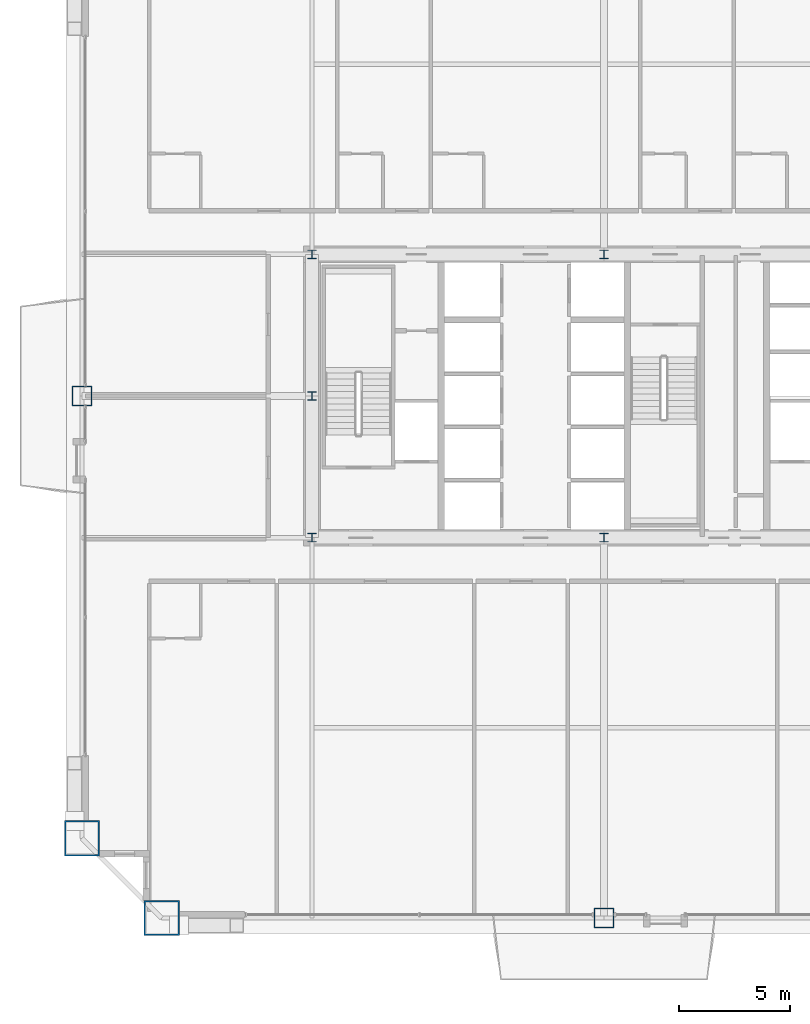
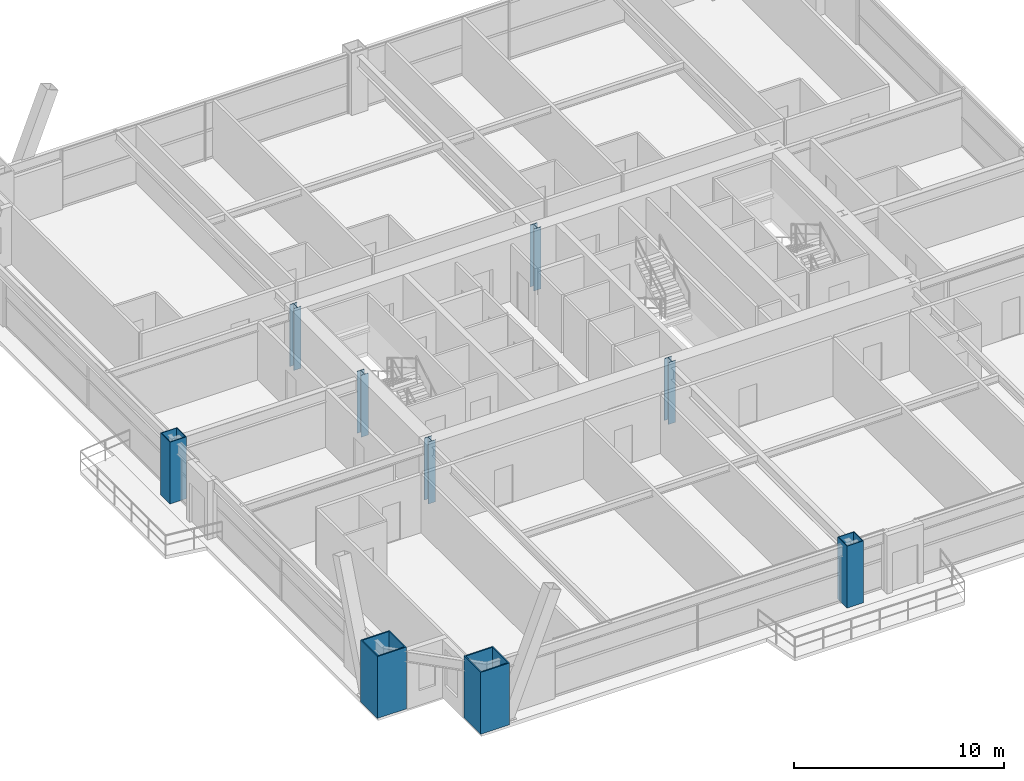
# One storey, part 1 of 42: 9 columns.
"""IFC4 building model written with IfcOpenShell, lengths in metres."""

from ifc_helpers import new_model, si_unit, direction, frame, origin, origin_2d, place, context, subcontext, project, spatial, hollow_rectangle, i_section, extrude, source, transform, mapped, material, material_profile, profile_set, type_object, element, save


model = new_model("IFC4")

# Units and contexts
model_context = context("Model", 3, precision=1e-05, world=origin(), true_north=direction((0.0, 1.0)))
body_context = subcontext(model_context, "Body", "Model", "MODEL_VIEW")
ifc_project = project(units=[si_unit("LENGTHUNIT", "METRE"), si_unit("AREAUNIT", "SQUARE_METRE"), si_unit("VOLUMEUNIT", "CUBIC_METRE"), si_unit("PLANEANGLEUNIT", "RADIAN"), si_unit("MASSUNIT", "GRAM", prefix="KILO"), si_unit("THERMODYNAMICTEMPERATUREUNIT", "KELVIN"), si_unit("POWERUNIT", "WATT")], contexts=[model_context])

# Site, building, storey
site_placement = place(None, origin())
site = spatial("IfcSite", under=ifc_project, at=site_placement, CompositionType="ELEMENT")
building_placement = place(site_placement, origin())
building = spatial("IfcBuilding", under=site, at=building_placement, Name="Yuzanri Waterfront Tower", CompositionType="ELEMENT")
storey_placement = place(building_placement, frame((0.0, 0.0, 145.199951171875)))
storey = spatial("IfcBuildingStorey", under=building, at=storey_placement, Name="L38", CompositionType="ELEMENT", Elevation=145.199951171875)

# Columns
ifc_material_1 = material(Name="Steel Q390GJC", Category="steel")
ifc_material_profile_1 = material_profile(ifc_material_1, hollow_rectangle(XDim=0.89990234375, YDim=0.89990234375, WallThickness=0.0419921875, at=origin_2d()), Name="RHS 900x900x42")
ifc_profile_set_1 = profile_set([ifc_material_profile_1], Name="Steel Q390GJC")
column_type_1 = type_object("IfcColumnType", Name="Frame Column Q390GJC RHS 900x900x42", PredefinedType="COLUMN", material=ifc_profile_set_1)
shared_shape_1 = source(origin(), body_context, "Body", "SweptSolid", [
    extrude(hollow_rectangle(XDim=0.89990234375, YDim=0.89990234375, WallThickness=0.0419921875, at=origin_2d()), origin(), (0.0, 0.0, 1.0), 3.60009765625),
])
for number, where, z_axis, x_axis, name in (
    (1, (37.0, 2.199951171875, 0.0), (0.0, 0.0, 1.0), (1.0, 0.0, 0.0), "L38 Perimeter Frame Column S2"),
    (2, (13.39990234375, 25.800048828125, 0.0), (0.0, 0.0, 1.0), (1.0, 0.0, 0.0), "L38 Perimeter Frame Column W2"),
):
    element("IfcColumn", number, at=place(storey_placement, frame(where, z_axis=z_axis, x_axis=x_axis)), inside=storey, type_object=column_type_1, Name=name, PredefinedType="COLUMN", context=body_context, shape_type="MappedRepresentation", body=[
        mapped(shared_shape_1, transform((0.0, 0.0, 0.0), scale=1.0)),
    ])
ifc_material_2 = material(Name="Steel Q420GJC", Category="steel")
ifc_material_profile_2 = material_profile(ifc_material_2, hollow_rectangle(XDim=1.60009765625, YDim=1.60009765625, WallThickness=0.070068359375, at=origin_2d()), Name="RHS 1600x1600x70")
ifc_profile_set_2 = profile_set([ifc_material_profile_2], Name="Steel Q420GJC")
column_type_2 = type_object("IfcColumnType", Name="Mega Column Q420GJC RHS 1600x1600x70", PredefinedType="COLUMN", material=ifc_profile_set_2)
shared_shape_2 = source(origin(), body_context, "Body", "SweptSolid", [
    extrude(hollow_rectangle(XDim=1.60009765625, YDim=1.60009765625, WallThickness=0.070068359375, at=origin_2d()), origin(), (0.0, 0.0, 1.0), 3.60009765625),
])
for number, where, z_axis, x_axis, name in (
    (3, (17.0, 2.199951171875, 0.0), (0.0, 0.0, 1.0), (1.0, 0.0, 0.0), "L38 Perimeter Mega Column S1"),
    (4, (13.39990234375, 5.800048828125, 0.0), (0.0, 0.0, 1.0), (1.0, 0.0, 0.0), "L38 Perimeter Mega Column W1"),
):
    element("IfcColumn", number, at=place(storey_placement, frame(where, z_axis=z_axis, x_axis=x_axis)), inside=storey, type_object=column_type_2, Name=name, PredefinedType="COLUMN", context=body_context, shape_type="MappedRepresentation", body=[
        mapped(shared_shape_2, transform((0.0, 0.0, 0.0), scale=1.0)),
    ])
ifc_material_3 = material(Name="Steel Q355B", Category="steel")
ifc_material_profile_3 = material_profile(ifc_material_3, i_section(OverallWidth=0.39990234375, OverallDepth=0.39990234375, WebThickness=0.012939453125, FlangeThickness=0.02099609375, at=origin_2d()), Name="HW 400x400x13x21")
ifc_profile_set_3 = profile_set([ifc_material_profile_3], Name="Steel Q355B")
column_type_3 = type_object("IfcColumnType", Name="Core Post Q355B HW 400x400x13x21", PredefinedType="COLUMN", material=ifc_profile_set_3)
shared_shape_3 = source(origin(), body_context, "Body", "SweptSolid", [
    extrude(i_section(OverallWidth=0.39990234375, OverallDepth=0.39990234375, WebThickness=0.012939453125, FlangeThickness=0.02099609375, at=origin_2d()), origin(), (0.0, 0.0, 1.0), 3.60009765625),
])
for number, where, z_axis, x_axis, name in (
    (5, (23.800048828125, 19.39990234375, 0.0), (0.0, 0.0, 1.0), (1.0, 0.0, 0.0), "L38 Core Boundary Column CP1"),
    (6, (37.0, 19.39990234375, 0.0), (0.0, 0.0, 1.0), (1.0, 0.0, 0.0), "L38 Core Boundary Column CP2"),
    (7, (23.800048828125, 25.800048828125, 0.0), (0.0, 0.0, 1.0), (1.0, 0.0, 0.0), "L38 Core Boundary Column CP4"),
    (8, (23.800048828125, 32.199951171875, 0.0), (0.0, 0.0, 1.0), (1.0, 0.0, 0.0), "L38 Core Boundary Column CP6"),
    (9, (37.0, 32.199951171875, 0.0), (0.0, 0.0, 1.0), (1.0, 0.0, 0.0), "L38 Core Boundary Column CP7"),
):
    element("IfcColumn", number, at=place(storey_placement, frame(where, z_axis=z_axis, x_axis=x_axis)), inside=storey, type_object=column_type_3, Name=name, PredefinedType="COLUMN", context=body_context, shape_type="MappedRepresentation", body=[
        mapped(shared_shape_3, transform((0.0, 0.0, 0.0), scale=1.0)),
    ])

save(model, "model.ifc")
